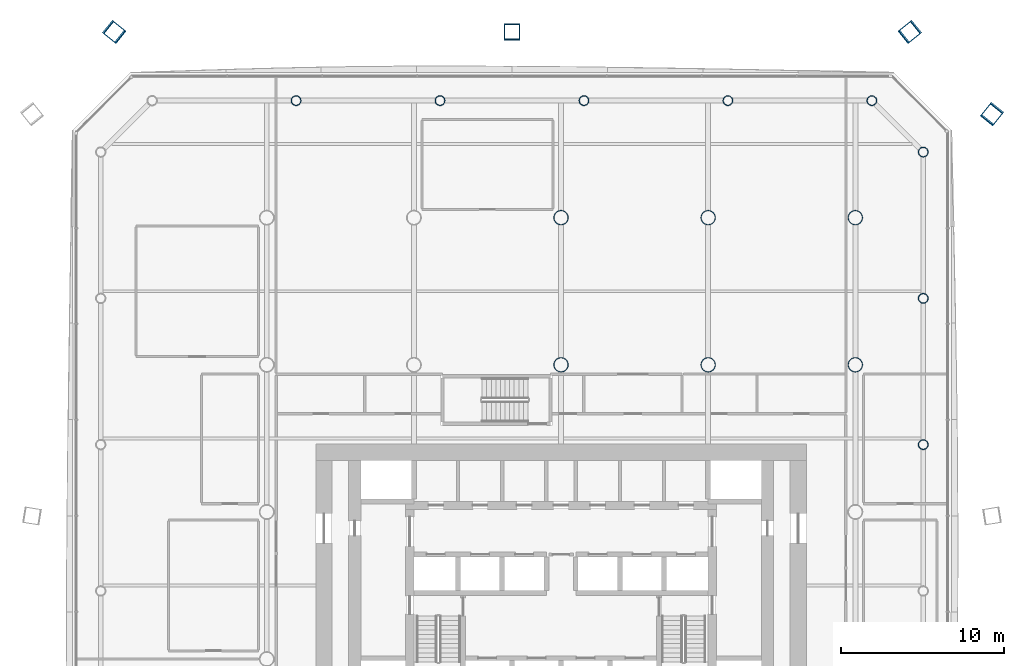
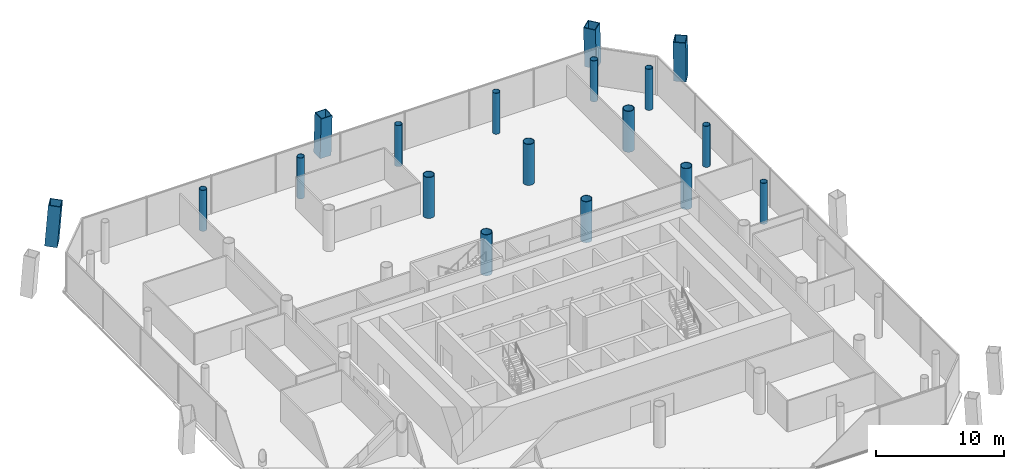
# One storey, part 2 of 21: 18 columns.
"""IFC4 building model written with IfcOpenShell, lengths in metres."""

from ifc_helpers import new_model, si_unit, direction, frame, origin, origin_2d, place, context, subcontext, project, spatial, hollow_rectangle, hollow_circle, extrude, material, material_profile, profile_set, type_object, element, save


model = new_model("IFC4")

# Units and contexts
model_context = context("Model", 3, precision=1e-05, world=origin(), true_north=direction((0.0, 1.0)))
body_context = subcontext(model_context, "Body", "Model", "MODEL_VIEW")
ifc_project = project(units=[si_unit("LENGTHUNIT", "METRE"), si_unit("AREAUNIT", "SQUARE_METRE"), si_unit("VOLUMEUNIT", "CUBIC_METRE"), si_unit("PLANEANGLEUNIT", "RADIAN"), si_unit("MASSUNIT", "GRAM", prefix="KILO")], contexts=[model_context])

# Site, building, storey
site_placement = place(None, origin())
site = spatial("IfcSite", under=ifc_project, at=site_placement, CompositionType="ELEMENT")
building_placement = place(site_placement, origin())
building = spatial("IfcBuilding", under=site, at=building_placement, Name="Tskaro Facet Tower", CompositionType="ELEMENT")
storey_placement = place(building_placement, frame((0.0, 0.0, 42.0)))
storey = spatial("IfcBuildingStorey", under=building, at=storey_placement, Name="L09", CompositionType="ELEMENT", Elevation=42.0)

# Columns
ifc_material_1 = material(Name="Steel S460M", Category="steel")
ifc_material_profile_1 = material_profile(ifc_material_1, hollow_rectangle(XDim=1.0, YDim=1.0, WallThickness=0.06005859375, at=origin_2d()), Name="BOX 1000x1000x60")
ifc_profile_set_1 = profile_set([ifc_material_profile_1], Name="Steel S460M")
column_type_1 = type_object("IfcColumnType", Name="BOX 1000x1000x60 mega column", PredefinedType="COLUMN", material=ifc_profile_set_1)
for number, where, z_axis, x_axis, name in (
    (1, (26.388916015625, 24.368896484375, 0.0), (-0.046509231833, -0.057996075669, 0.997232844706), (0.78013092104, -0.625616292976, 0.0), "BOX 1000x1000x60 MC06/1"),
    (2, (21.368896484375, 29.388916015625, 0.0), (-0.057996075669, -0.046509231833, 0.997232844706), (0.625616292976, -0.78013092104, 0.0), "BOX 1000x1000x60 MC07/1"),
):
    element("IfcColumn", number, at=place(storey_placement, frame(where, z_axis=z_axis, x_axis=x_axis)), inside=storey, type_object=column_type_1, Name=name, PredefinedType="COLUMN", context=body_context, shape_type="SweptSolid", body=[
        extrude(hollow_rectangle(XDim=1.0, YDim=1.0, WallThickness=0.06005859375, at=origin_2d()), origin(), (0.0, 0.0, 1.0), 3.91064453125),
    ])
column_1_placement = place(storey_placement, frame((-3.0, 29.388916015625, 0.0), z_axis=(0.0, -0.046587647648, 0.998914206069), x_axis=(1.0, 0.0, 0.0)))
element("IfcColumn", 3, at=column_1_placement, inside=storey, type_object=column_type_1, Name="BOX 1000x1000x60 MC08/1", PredefinedType="COLUMN", context=body_context, shape_type="SweptSolid", body=[
    extrude(hollow_rectangle(XDim=1.0, YDim=1.0, WallThickness=0.06005859375, at=origin_2d()), origin(), (0.0, 0.0, 1.0), 3.904052734375),
])
column_2_placement = place(storey_placement, frame((-27.368896484375, 29.388916015625, 0.0), z_axis=(0.057996075669, -0.046509231833, 0.997232844706), x_axis=(0.625616292976, 0.78013092104, 0.0)))
element("IfcColumn", 4, at=column_2_placement, inside=storey, type_object=column_type_1, Name="BOX 1000x1000x60 MC09/1", PredefinedType="COLUMN", context=body_context, shape_type="SweptSolid", body=[
    extrude(hollow_rectangle(XDim=1.0, YDim=1.0, WallThickness=0.06005859375, at=origin_2d()), origin(), (0.0, 0.0, 1.0), 3.91064453125),
])
ifc_material_2 = material(Name="Steel S355J2H", Category="steel")
ifc_material_profile_2 = material_profile(ifc_material_2, hollow_circle(Radius=0.304931640625, WallThickness=0.030029296875, at=origin_2d()), Name="CHS 610x30")
ifc_profile_set_2 = profile_set([ifc_material_profile_2], Name="Steel S355J2H")
column_type_2 = type_object("IfcColumnType", Name="CHS 610x30 ring column", PredefinedType="COLUMN", material=ifc_profile_set_2)
for number, where, z_axis, x_axis, name in (
    (5, (22.156982421875, 4.115966796875, 0.0), (0.0, 0.0, 1.0), (1.0, 0.0, 0.0), "CHS 610x30 RE-4/1"),
    (6, (22.156982421875, 13.06396484375, 0.0), (0.0, 0.0, 1.0), (1.0, 0.0, 0.0), "CHS 610x30 RE-5/1"),
    (7, (22.156982421875, 22.011962890625, 0.0), (0.0, 0.0, 1.0), (1.0, 0.0, 0.0), "CHS 610x30 RNE-1/1"),
    (8, (19.011962890625, 25.156982421875, 0.0), (0.0, 0.0, 1.0), (1.0, 0.0, 0.0), "CHS 610x30 RN-1/1"),
    (9, (10.20703125, 25.156982421875, 0.0), (0.0, 0.0, 1.0), (1.0, 0.0, 0.0), "CHS 610x30 RN-2/1"),
    (10, (1.402099609375, 25.156982421875, 0.0), (0.0, 0.0, 1.0), (1.0, 0.0, 0.0), "CHS 610x30 RN-3/1"),
    (11, (-7.402099609375, 25.156982421875, 0.0), (0.0, 0.0, 1.0), (1.0, 0.0, 0.0), "CHS 610x30 RN-4/1"),
    (12, (-16.20703125, 25.156982421875, 0.0), (0.0, 0.0, 1.0), (1.0, 0.0, 0.0), "CHS 610x30 RN-5/1"),
):
    element("IfcColumn", number, at=place(storey_placement, frame(where, z_axis=z_axis, x_axis=x_axis)), inside=storey, type_object=column_type_2, Name=name, PredefinedType="COLUMN", context=body_context, shape_type="SweptSolid", body=[
        extrude(hollow_circle(Radius=0.304931640625, WallThickness=0.030029296875, at=origin_2d()), origin(), (0.0, 0.0, 1.0), 3.89990234375),
    ])
ifc_material_profile_3 = material_profile(ifc_material_2, hollow_circle(Radius=0.457275390625, WallThickness=0.050048828125, at=origin_2d()), Name="CHS 914.4x50")
ifc_profile_set_3 = profile_set([ifc_material_profile_3], Name="Steel S355J2H")
column_type_3 = type_object("IfcColumnType", Name="CHS 914.4x50 interior column", PredefinedType="COLUMN", material=ifc_profile_set_3)
for number, where, z_axis, x_axis, name in (
    (13, (0.0, 9.0, 0.0), (0.0, 0.0, 1.0), (1.0, 0.0, 0.0), "CHS 914.4x50 C4E/1"),
    (14, (0.0, 18.0, 0.0), (0.0, 0.0, 1.0), (1.0, 0.0, 0.0), "CHS 914.4x50 C4F/1"),
    (15, (9.0, 9.0, 0.0), (0.0, 0.0, 1.0), (1.0, 0.0, 0.0), "CHS 914.4x50 C5E/1"),
    (16, (9.0, 18.0, 0.0), (0.0, 0.0, 1.0), (1.0, 0.0, 0.0), "CHS 914.4x50 C5F/1"),
    (17, (18.0, 9.0, 0.0), (0.0, 0.0, 1.0), (1.0, 0.0, 0.0), "CHS 914.4x50 C6E/1"),
    (18, (18.0, 18.0, 0.0), (0.0, 0.0, 1.0), (1.0, 0.0, 0.0), "CHS 914.4x50 C6F/1"),
):
    element("IfcColumn", number, at=place(storey_placement, frame(where, z_axis=z_axis, x_axis=x_axis)), inside=storey, type_object=column_type_3, Name=name, PredefinedType="COLUMN", context=body_context, shape_type="SweptSolid", body=[
        extrude(hollow_circle(Radius=0.457275390625, WallThickness=0.050048828125, at=origin_2d()), origin(), (0.0, 0.0, 1.0), 3.89990234375),
    ])

save(model, "model.ifc")
